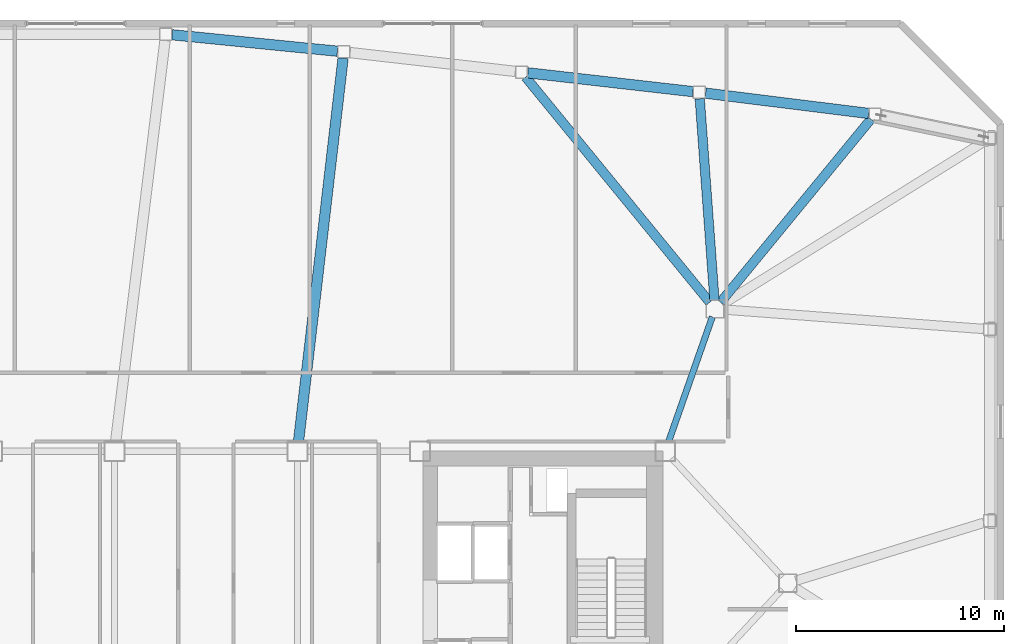
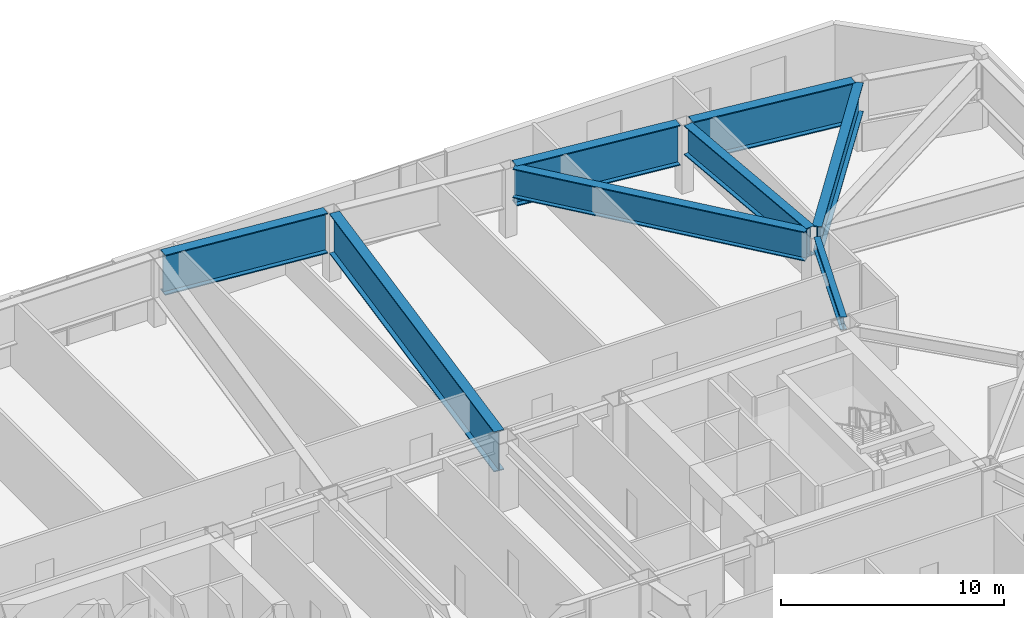
# One storey, part 7 of 18: 8 beams.
"""IFC4 building model written with IfcOpenShell, lengths in metres."""

from ifc_helpers import new_model, si_unit, direction, frame, origin, origin_2d, place, context, subcontext, project, spatial, i_section, extrude, material, material_profile, profile_set, type_object, element, save


model = new_model("IFC4")

# Units and contexts
model_context = context("Model", 3, precision=1e-05, world=origin(), true_north=direction((0.0, 1.0)))
body_context = subcontext(model_context, "Body", "Model", "MODEL_VIEW")
ifc_project = project(units=[si_unit("LENGTHUNIT", "METRE"), si_unit("AREAUNIT", "SQUARE_METRE"), si_unit("VOLUMEUNIT", "CUBIC_METRE"), si_unit("PLANEANGLEUNIT", "RADIAN"), si_unit("MASSUNIT", "GRAM", prefix="KILO")], contexts=[model_context])

# Site, building, storey
site_placement = place(None, origin())
site = spatial("IfcSite", under=ifc_project, at=site_placement, CompositionType="ELEMENT")
building_placement = place(site_placement, origin())
building = spatial("IfcBuilding", under=site, at=building_placement, Name="Tavrogorsk Clinical Tower", CompositionType="ELEMENT")
storey_placement = place(building_placement, frame((0.0, 0.0, 152.199951171875)))
storey = spatial("IfcBuildingStorey", under=building, at=storey_placement, Name="L34", CompositionType="ELEMENT", Elevation=152.199951171875)

# Beams
ifc_material_1 = material(Name="Structural steel S390", Category="steel")
ifc_material_profile_1 = material_profile(ifc_material_1, i_section(OverallWidth=0.300048828125, OverallDepth=0.699951171875, WebThickness=0.01708984375, FlangeThickness=0.028076171875, at=origin_2d()), Name="B-700x300x17x28")
ifc_profile_set_1 = profile_set([ifc_material_profile_1], Name="Structural steel S390")
beam_type_1 = type_object("IfcBeamType", Name="PrimaryGirder_B700", PredefinedType="USERDEFINED", material=ifc_profile_set_1)
beam_1_placement = place(storey_placement, frame((24.364501953125, 12.81298828125, 3.39013671875), z_axis=(-0.330660234815, -0.943749865755, 0.0), x_axis=(0.943749865755, -0.330660234815, 0.0)))
element("IfcBeam", 1, at=beam_1_placement, inside=storey, type_object=beam_type_1, Name="L34 Spine Link Girder OPG-4", ObjectType="GIRDER", PredefinedType="USERDEFINED", context=body_context, shape_type="SweptSolid", body=[
    extrude(i_section(OverallWidth=0.300048828125, OverallDepth=0.699951171875, WebThickness=0.01708984375, FlangeThickness=0.028076171875, at=origin_2d()), origin(), (0.0, 0.0, 1.0), 6.38818359375),
])
ifc_material_2 = material(Name="Structural steel S440", Category="steel")
ifc_material_profile_2 = material_profile(ifc_material_2, i_section(OverallWidth=0.449951171875, OverallDepth=1.60009765625, WebThickness=0.031982421875, FlangeThickness=0.050048828125, at=origin_2d()), Name="DK-1600x450x32x50")
ifc_profile_set_2 = profile_set([ifc_material_profile_2], Name="Structural steel S440")
beam_type_2 = type_object("IfcBeamType", Name="TransferGirder_DK1600", PredefinedType="USERDEFINED", material=ifc_profile_set_2)
beam_2_placement = place(storey_placement, frame((24.76025390625, 13.516845703125, 2.93994140625), z_axis=(0.634632561694, 0.772814021377, 0.0), x_axis=(-0.772814021377, 0.634632561694, 0.0)))
element("IfcBeam", 2, at=beam_2_placement, inside=storey, type_object=beam_type_2, Name="L34 Radial Floor Beam N1", ObjectType="GIRDER", PredefinedType="USERDEFINED", context=body_context, shape_type="SweptSolid", body=[
    extrude(i_section(OverallWidth=0.449951171875, OverallDepth=1.60009765625, WebThickness=0.031982421875, FlangeThickness=0.050048828125, at=origin_2d()), origin(), (0.0, 0.0, 1.0), 11.401123046875),
])
beam_3_placement = place(storey_placement, frame((24.469970703125, 13.60888671875, 2.93994140625), z_axis=(-0.072959198524, 0.997334926367, 0.0), x_axis=(-0.997334926367, -0.072959198524, 0.0)))
element("IfcBeam", 3, at=beam_3_placement, inside=storey, type_object=beam_type_2, Name="L34 Radial Floor Beam N2", ObjectType="GIRDER", PredefinedType="USERDEFINED", context=body_context, shape_type="SweptSolid", body=[
    extrude(i_section(OverallWidth=0.449951171875, OverallDepth=1.60009765625, WebThickness=0.031982421875, FlangeThickness=0.050048828125, at=origin_2d()), origin(), (0.0, 0.0, 1.0), 9.7275390625),
])
beam_4_placement = place(storey_placement, frame((24.240478515625, 13.517333984375, 2.93994140625), z_axis=(-0.632957552123, 0.774186500277, 0.0), x_axis=(-0.774186500277, -0.632957552123, 0.0)))
element("IfcBeam", 4, at=beam_4_placement, inside=storey, type_object=beam_type_2, Name="L34 Radial Floor Beam N3", ObjectType="GIRDER", PredefinedType="USERDEFINED", context=body_context, shape_type="SweptSolid", body=[
    extrude(i_section(OverallWidth=0.449951171875, OverallDepth=1.60009765625, WebThickness=0.031982421875, FlangeThickness=0.050048828125, at=origin_2d()), origin(), (0.0, 0.0, 1.0), 13.9970703125),
])
ifc_material_3 = material(Name="Structural steel S440", Category="steel")
ifc_material_profile_3 = material_profile(ifc_material_3, i_section(OverallWidth=0.5, OverallDepth=2.199951171875, WebThickness=0.035888671875, FlangeThickness=0.054931640625, at=origin_2d()), Name="DK-2200x500x36x55")
ifc_profile_set_3 = profile_set([ifc_material_profile_3], Name="Structural steel S440")
beam_type_3 = type_object("IfcBeamType", Name="TransferGirder_DK2200", PredefinedType="USERDEFINED", material=ifc_profile_set_3)
beam_5_placement = place(storey_placement, frame((31.8857421875, 22.60400390625, 2.64013671875), z_axis=(-0.992347112015, 0.123479590521, 0.0), x_axis=(-0.123479590521, -0.992347112015, 0.0)))
element("IfcBeam", 5, at=beam_5_placement, inside=storey, type_object=beam_type_3, Name="L34 Perimeter Spandrel N1-N2", ObjectType="GIRDER", PredefinedType="USERDEFINED", context=body_context, shape_type="SweptSolid", body=[
    extrude(i_section(OverallWidth=0.5, OverallDepth=2.199951171875, WebThickness=0.035888671875, FlangeThickness=0.054931640625, at=origin_2d()), origin(), (0.0, 0.0, 1.0), 7.90283203125),
])
beam_6_placement = place(storey_placement, frame((23.431884765625, 23.652587890625, 2.64013671875), z_axis=(-0.993569841398, 0.113220891465, 0.0), x_axis=(-0.113220891465, -0.993569841398, 0.0)))
element("IfcBeam", 6, at=beam_6_placement, inside=storey, type_object=beam_type_3, Name="L34 Perimeter Spandrel N2-N3", ObjectType="GIRDER", PredefinedType="USERDEFINED", context=body_context, shape_type="SweptSolid", body=[
    extrude(i_section(OverallWidth=0.5, OverallDepth=2.199951171875, WebThickness=0.035888671875, FlangeThickness=0.054931640625, at=origin_2d()), origin(), (0.0, 0.0, 1.0), 7.9912109375),
])
beam_7_placement = place(storey_placement, frame((6.32763671875, 25.59716796875, 2.64013671875), z_axis=(-0.995074624158, 0.099128665666, 0.0), x_axis=(-0.099128665666, -0.995074624158, 0.0)))
element("IfcBeam", 7, at=beam_7_placement, inside=storey, type_object=beam_type_3, Name="L34 Perimeter Spandrel N4-N5", ObjectType="GIRDER", PredefinedType="USERDEFINED", context=body_context, shape_type="SweptSolid", body=[
    extrude(i_section(OverallWidth=0.5, OverallDepth=2.199951171875, WebThickness=0.035888671875, FlangeThickness=0.054931640625, at=origin_2d()), origin(), (0.0, 0.0, 1.0), 7.991943359375),
])
beam_8_placement = place(storey_placement, frame((4.453125, 6.806884765625, 2.64013671875), z_axis=(0.11548547993, 0.993309168349, 0.0), x_axis=(-0.993309168349, 0.11548547993, 0.0)))
element("IfcBeam", 8, at=beam_8_placement, inside=storey, type_object=beam_type_3, Name="L34 Radial Floor Beam N4", ObjectType="GIRDER", PredefinedType="USERDEFINED", context=body_context, shape_type="SweptSolid", body=[
    extrude(i_section(OverallWidth=0.5, OverallDepth=2.199951171875, WebThickness=0.035888671875, FlangeThickness=0.054931640625, at=origin_2d()), origin(), (0.0, 0.0, 1.0), 18.578125),
])

save(model, "model.ifc")
